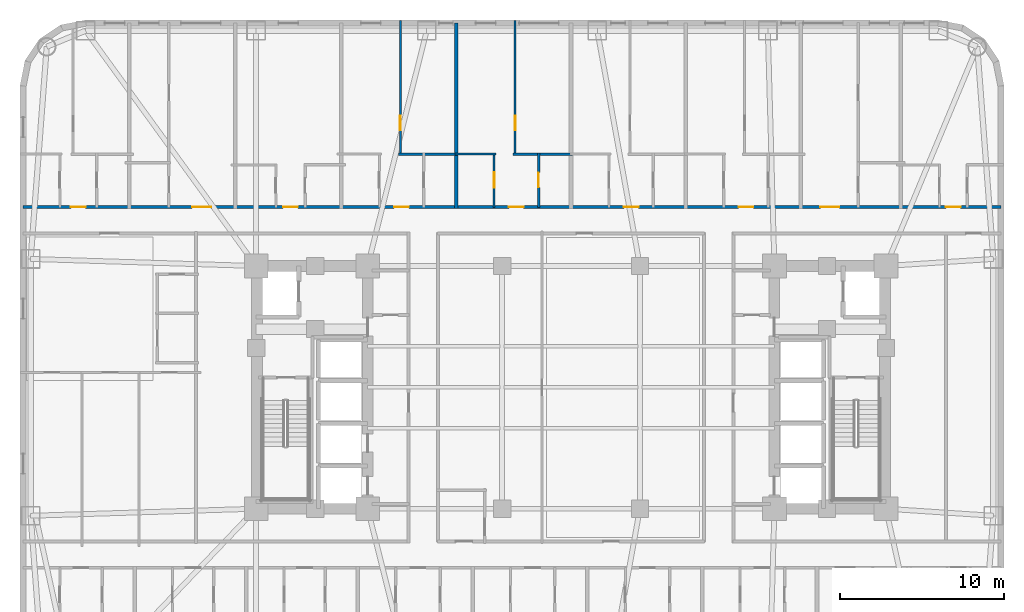
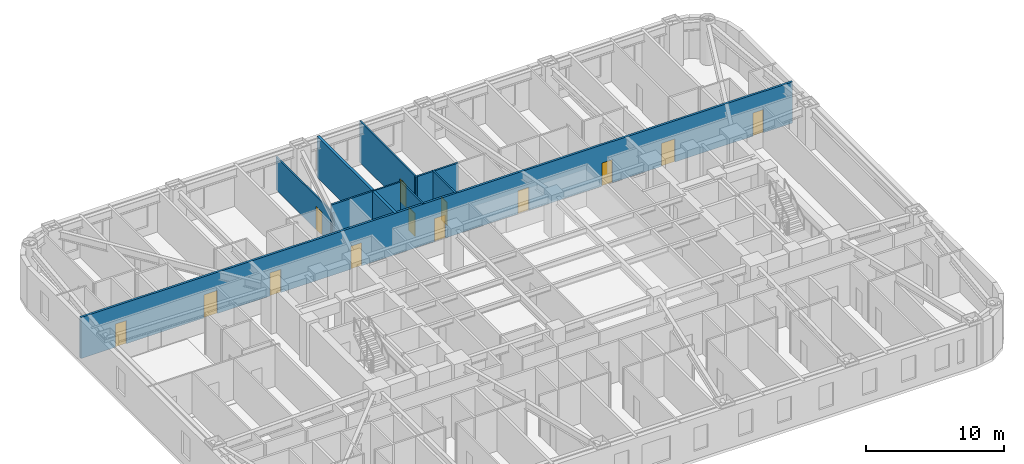
# One storey, part 8 of 12: 13 doors, 9 walls, 13 openings.
"""IFC4 building model written with IfcOpenShell, lengths in metres."""

from ifc_helpers import new_model, si_unit, direction, frame, frame_2d, origin, place, context, subcontext, project, spatial, rectangle, extrude, material, layer, layer_set, type_object, element, fill, save


model = new_model("IFC4")

# Units and contexts
model_context = context("Model", 3, precision=1e-05, world=origin(), true_north=direction((0.0, 1.0)))
body_context = subcontext(model_context, "Body", "Model", "MODEL_VIEW")
ifc_project = project(units=[si_unit("LENGTHUNIT", "METRE"), si_unit("AREAUNIT", "SQUARE_METRE"), si_unit("VOLUMEUNIT", "CUBIC_METRE"), si_unit("PLANEANGLEUNIT", "RADIAN"), si_unit("MASSUNIT", "GRAM", prefix="KILO")], contexts=[model_context])

# Site, building, storey
site_placement = place(None, origin())
site = spatial("IfcSite", under=ifc_project, at=site_placement, CompositionType="ELEMENT")
building_placement = place(site_placement, origin())
building = spatial("IfcBuilding", under=site, at=building_placement, Name="Voryun Gate Residences", CompositionType="ELEMENT")
storey_placement = place(building_placement, frame((0.0, 0.0, 65.0)))
storey = spatial("IfcBuildingStorey", under=building, at=storey_placement, Name="L15", CompositionType="ELEMENT", Elevation=65.0)

# Wall, openings, doors
ifc_material_1 = material(Name="Gypsum acoustic fireboard")
ifc_layer_1 = layer(ifc_material_1, 0.179931640625, Name="W_CORR_RATED_180")
ifc_layer_set_1 = layer_set([ifc_layer_1], Name="Gypsum acoustic fireboard")
wall_type_1 = type_object("IfcWallType", Name="W_CORR_RATED_180", PredefinedType="PARTITIONING", material=ifc_layer_set_1)
wall_1_placement = place(storey_placement, frame((-33.409912109375, 11.0, 0.0), z_axis=(0.0, 0.0, 1.0), x_axis=(1.0, 0.0, 0.0)))
wall_1 = element("IfcWall", 1, at=wall_1_placement, inside=storey, type_object=wall_type_1, Name="Partition wall WP-L15-NCORR", PredefinedType="PARTITIONING", context=body_context, shape_type="SweptSolid", body=[
    extrude(rectangle(XDim=59.619873046875, YDim=0.179931640625, at=frame_2d((29.81005859375, 0.0))), origin(), (0.0, 0.0, 1.0), 3.64990234375),
])
opening_1_placement = place(wall_1_placement, frame((2.91259765625, 0.0, 0.0)))
opening_1 = element("IfcOpeningElement", 2, at=opening_1_placement, cuts=wall_1, Name="Opening D-INT-2", PredefinedType="OPENING", context=body_context, shape_type="SweptSolid", body=[
    extrude(rectangle(XDim=0.89990234375, YDim=2.050048828125, at=frame_2d((0.449951171875, 1.02490234375))), frame((0.0, 0.099853515625, 0.0), z_axis=(0.0, -1.0, 0.0), x_axis=(1.0, 0.0, 0.0)), (0.0, 0.0, 1.0), 0.199951171875),
])
opening_2_placement = place(wall_1_placement, frame((10.3115234375, 0.0, 0.0)))
opening_2 = element("IfcOpeningElement", 3, at=opening_2_placement, cuts=wall_1, Name="Opening D-UNIT-1", PredefinedType="OPENING", context=body_context, shape_type="SweptSolid", body=[
    extrude(rectangle(XDim=1.14990234375, YDim=2.050048828125, at=frame_2d((0.574951171875, 1.02490234375))), frame((0.0, 0.099853515625, 0.0), z_axis=(0.0, -1.0, 0.0), x_axis=(1.0, 0.0, 0.0)), (0.0, 0.0, 1.0), 0.199951171875),
])
opening_3_placement = place(wall_1_placement, frame((15.85009765625, 0.0, 0.0)))
opening_3 = element("IfcOpeningElement", 4, at=opening_3_placement, cuts=wall_1, Name="Opening D-INT-2", PredefinedType="OPENING", context=body_context, shape_type="SweptSolid", body=[
    extrude(rectangle(XDim=0.89990234375, YDim=2.050048828125, at=frame_2d((0.449951171875, 1.02490234375))), frame((0.0, 0.099853515625, 0.0), z_axis=(0.0, -1.0, 0.0), x_axis=(1.0, 0.0, 0.0)), (0.0, 0.0, 1.0), 0.199951171875),
])
opening_4_placement = place(wall_1_placement, frame((22.622802734375, 0.0, 0.0)))
opening_4 = element("IfcOpeningElement", 5, at=opening_4_placement, cuts=wall_1, Name="Opening D-INT-2", PredefinedType="OPENING", context=body_context, shape_type="SweptSolid", body=[
    extrude(rectangle(XDim=0.89990234375, YDim=2.050048828125, at=frame_2d((0.449951171875, 1.02490234375))), frame((0.0, 0.099853515625, 0.0), z_axis=(0.0, -1.0, 0.0), x_axis=(1.0, 0.0, 0.0)), (0.0, 0.0, 1.0), 0.199951171875),
])
opening_5_placement = place(wall_1_placement, frame((29.622314453125, 0.0, 0.0)))
opening_5 = element("IfcOpeningElement", 6, at=opening_5_placement, cuts=wall_1, Name="Opening D-INT-2", PredefinedType="OPENING", context=body_context, shape_type="SweptSolid", body=[
    extrude(rectangle(XDim=0.89990234375, YDim=2.050048828125, at=frame_2d((0.449951171875, 1.02490234375))), frame((0.0, 0.099853515625, 0.0), z_axis=(0.0, -1.0, 0.0), x_axis=(1.0, 0.0, 0.0)), (0.0, 0.0, 1.0), 0.199951171875),
])
opening_6_placement = place(wall_1_placement, frame((36.627685546875, 0.0, 0.0)))
opening_6 = element("IfcOpeningElement", 7, at=opening_6_placement, cuts=wall_1, Name="Opening D-INT-2", PredefinedType="OPENING", context=body_context, shape_type="SweptSolid", body=[
    extrude(rectangle(XDim=0.89990234375, YDim=2.050048828125, at=frame_2d((0.449951171875, 1.02490234375))), frame((0.0, 0.099853515625, 0.0), z_axis=(0.0, -1.0, 0.0), x_axis=(1.0, 0.0, 0.0)), (0.0, 0.0, 1.0), 0.199951171875),
])
opening_7_placement = place(wall_1_placement, frame((43.627197265625, 0.0, 0.0)))
opening_7 = element("IfcOpeningElement", 8, at=opening_7_placement, cuts=wall_1, Name="Opening D-INT-2", PredefinedType="OPENING", context=body_context, shape_type="SweptSolid", body=[
    extrude(rectangle(XDim=0.89990234375, YDim=2.050048828125, at=frame_2d((0.449951171875, 1.02490234375))), frame((0.0, 0.099853515625, 0.0), z_axis=(0.0, -1.0, 0.0), x_axis=(1.0, 0.0, 0.0)), (0.0, 0.0, 1.0), 0.199951171875),
])
opening_8_placement = place(wall_1_placement, frame((48.617431640625, 0.0, 0.0)))
opening_8 = element("IfcOpeningElement", 9, at=opening_8_placement, cuts=wall_1, Name="Opening D-UNIT-1", PredefinedType="OPENING", context=body_context, shape_type="SweptSolid", body=[
    extrude(rectangle(XDim=1.14990234375, YDim=2.050048828125, at=frame_2d((0.574951171875, 1.02490234375))), frame((0.0, 0.099853515625, 0.0), z_axis=(0.0, -1.0, 0.0), x_axis=(1.0, 0.0, 0.0)), (0.0, 0.0, 1.0), 0.199951171875),
])
opening_9_placement = place(wall_1_placement, frame((56.2724609375, 0.0, 0.0)))
opening_9 = element("IfcOpeningElement", 10, at=opening_9_placement, cuts=wall_1, Name="Opening D-INT-2", PredefinedType="OPENING", context=body_context, shape_type="SweptSolid", body=[
    extrude(rectangle(XDim=0.89990234375, YDim=2.050048828125, at=frame_2d((0.449951171875, 1.02490234375))), frame((0.0, 0.099853515625, 0.0), z_axis=(0.0, -1.0, 0.0), x_axis=(1.0, 0.0, 0.0)), (0.0, 0.0, 1.0), 0.199951171875),
])
ifc_material_2 = material(Name="Architectural oak veneer")
door_type_1 = type_object("IfcDoorType", Name="DR_INT_BATH_900", OperationType="NOTDEFINED", PredefinedType="DOOR", material=ifc_material_2)
door_1_placement = place(opening_1_placement, origin())
door_1 = element("IfcDoor", 11, at=door_1_placement, inside=storey, type_object=door_type_1, Name="Door DR-L15-NENT-1", OperationType="SINGLE_SWING_LEFT", OverallHeight=2.050048828125, OverallWidth=0.89990234375, PredefinedType="DOOR", context=body_context, shape_type="SweptSolid", body=[
    extrude(rectangle(XDim=0.89990234375, YDim=2.050048828125, at=frame_2d((0.449951171875, 1.02490234375))), frame((0.0, 0.02490234375, 0.0), z_axis=(0.0, -1.0, 0.0), x_axis=(1.0, 0.0, 0.0)), (0.0, 0.0, 1.0), 0.050048828125),
])
fill(opening_1, door_1)
door_2_placement = place(opening_3_placement, origin())
door_2 = element("IfcDoor", 12, at=door_2_placement, inside=storey, type_object=door_type_1, Name="Door DR-L15-NENT-3", OperationType="SINGLE_SWING_LEFT", OverallHeight=2.050048828125, OverallWidth=0.89990234375, PredefinedType="DOOR", context=body_context, shape_type="SweptSolid", body=[
    extrude(rectangle(XDim=0.89990234375, YDim=2.050048828125, at=frame_2d((0.449951171875, 1.02490234375))), frame((0.0, 0.02490234375, 0.0), z_axis=(0.0, -1.0, 0.0), x_axis=(1.0, 0.0, 0.0)), (0.0, 0.0, 1.0), 0.050048828125),
])
fill(opening_3, door_2)
door_3_placement = place(opening_4_placement, origin())
door_3 = element("IfcDoor", 13, at=door_3_placement, inside=storey, type_object=door_type_1, Name="Door DR-L15-NENT-4", OperationType="SINGLE_SWING_RIGHT", OverallHeight=2.050048828125, OverallWidth=0.89990234375, PredefinedType="DOOR", context=body_context, shape_type="SweptSolid", body=[
    extrude(rectangle(XDim=0.89990234375, YDim=2.050048828125, at=frame_2d((0.449951171875, 1.02490234375))), frame((0.0, 0.02490234375, 0.0), z_axis=(0.0, -1.0, 0.0), x_axis=(1.0, 0.0, 0.0)), (0.0, 0.0, 1.0), 0.050048828125),
])
fill(opening_4, door_3)
door_4_placement = place(opening_5_placement, origin())
door_4 = element("IfcDoor", 14, at=door_4_placement, inside=storey, type_object=door_type_1, Name="Door DR-L15-NENT-5", OperationType="SINGLE_SWING_LEFT", OverallHeight=2.050048828125, OverallWidth=0.89990234375, PredefinedType="DOOR", context=body_context, shape_type="SweptSolid", body=[
    extrude(rectangle(XDim=0.89990234375, YDim=2.050048828125, at=frame_2d((0.449951171875, 1.02490234375))), frame((0.0, 0.02490234375, 0.0), z_axis=(0.0, -1.0, 0.0), x_axis=(1.0, 0.0, 0.0)), (0.0, 0.0, 1.0), 0.050048828125),
])
fill(opening_5, door_4)
door_5_placement = place(opening_6_placement, origin())
door_5 = element("IfcDoor", 15, at=door_5_placement, inside=storey, type_object=door_type_1, Name="Door DR-L15-NENT-6", OperationType="SINGLE_SWING_RIGHT", OverallHeight=2.050048828125, OverallWidth=0.89990234375, PredefinedType="DOOR", context=body_context, shape_type="SweptSolid", body=[
    extrude(rectangle(XDim=0.89990234375, YDim=2.050048828125, at=frame_2d((0.449951171875, 1.02490234375))), frame((0.0, 0.02490234375, 0.0), z_axis=(0.0, -1.0, 0.0), x_axis=(1.0, 0.0, 0.0)), (0.0, 0.0, 1.0), 0.050048828125),
])
fill(opening_6, door_5)
door_6_placement = place(opening_7_placement, origin())
door_6 = element("IfcDoor", 16, at=door_6_placement, inside=storey, type_object=door_type_1, Name="Door DR-L15-NENT-7", OperationType="SINGLE_SWING_LEFT", OverallHeight=2.050048828125, OverallWidth=0.89990234375, PredefinedType="DOOR", context=body_context, shape_type="SweptSolid", body=[
    extrude(rectangle(XDim=0.89990234375, YDim=2.050048828125, at=frame_2d((0.449951171875, 1.02490234375))), frame((0.0, 0.02490234375, 0.0), z_axis=(0.0, -1.0, 0.0), x_axis=(1.0, 0.0, 0.0)), (0.0, 0.0, 1.0), 0.050048828125),
])
fill(opening_7, door_6)
door_7_placement = place(opening_9_placement, origin())
door_7 = element("IfcDoor", 17, at=door_7_placement, inside=storey, type_object=door_type_1, Name="Door DR-L15-NENT-9", OperationType="SINGLE_SWING_LEFT", OverallHeight=2.050048828125, OverallWidth=0.89990234375, PredefinedType="DOOR", context=body_context, shape_type="SweptSolid", body=[
    extrude(rectangle(XDim=0.89990234375, YDim=2.050048828125, at=frame_2d((0.449951171875, 1.02490234375))), frame((0.0, 0.02490234375, 0.0), z_axis=(0.0, -1.0, 0.0), x_axis=(1.0, 0.0, 0.0)), (0.0, 0.0, 1.0), 0.050048828125),
])
fill(opening_9, door_7)
ifc_material_3 = material(Name="Armoured timber-clad fire door", Category="wood")
door_type_2 = type_object("IfcDoorType", Name="DR_UNIT_ENTRY_1150", OperationType="NOTDEFINED", PredefinedType="DOOR", material=ifc_material_3)
door_8_placement = place(opening_2_placement, origin())
door_8 = element("IfcDoor", 18, at=door_8_placement, inside=storey, type_object=door_type_2, Name="Door DR-L15-NENT-2", OperationType="SINGLE_SWING_RIGHT", OverallHeight=2.050048828125, OverallWidth=1.14990234375, PredefinedType="DOOR", context=body_context, shape_type="SweptSolid", body=[
    extrude(rectangle(XDim=1.14990234375, YDim=2.050048828125, at=frame_2d((0.574951171875, 1.02490234375))), frame((0.0, 0.02490234375, 0.0), z_axis=(0.0, -1.0, 0.0), x_axis=(1.0, 0.0, 0.0)), (0.0, 0.0, 1.0), 0.050048828125),
])
fill(opening_2, door_8)
door_9_placement = place(opening_8_placement, origin())
door_9 = element("IfcDoor", 19, at=door_9_placement, inside=storey, type_object=door_type_2, Name="Door DR-L15-NENT-8", OperationType="SINGLE_SWING_RIGHT", OverallHeight=2.050048828125, OverallWidth=1.14990234375, PredefinedType="DOOR", context=body_context, shape_type="SweptSolid", body=[
    extrude(rectangle(XDim=1.14990234375, YDim=2.050048828125, at=frame_2d((0.574951171875, 1.02490234375))), frame((0.0, 0.02490234375, 0.0), z_axis=(0.0, -1.0, 0.0), x_axis=(1.0, 0.0, 0.0)), (0.0, 0.0, 1.0), 0.050048828125),
])
fill(opening_8, door_9)

# Wall
ifc_material_4 = material(Name="Concrete C40/50", Category="concrete")
ifc_layer_2 = layer(ifc_material_4, 0.219970703125, Name="W_PARTY_ACOUSTIC_220")
ifc_layer_set_2 = layer_set([ifc_layer_2], Name="Concrete C40/50")
wall_type_2 = type_object("IfcWallType", Name="W_PARTY_ACOUSTIC_220", PredefinedType="PARTITIONING", material=ifc_layer_set_2)
wall_2_placement = place(storey_placement, frame((-7.0, 10.919921875, 0.0), z_axis=(0.0, 0.0, 1.0), x_axis=(0.0, 1.0, 0.0)))
element("IfcWall", 20, at=wall_2_placement, inside=storey, type_object=wall_type_2, Name="Partition wall WP-L15-NPTY-4", PredefinedType="PARTITIONING", context=body_context, shape_type="SweptSolid", body=[
    extrude(rectangle(XDim=11.2900390625, YDim=0.219970703125, at=frame_2d((5.64501953125, 0.0))), origin(), (0.0, 0.0, 1.0), 3.64990234375),
])

# Wall, opening, door
ifc_material_5 = material(Name="Gypsum acoustic partition")
ifc_layer_3 = layer(ifc_material_5, 0.125, Name="W_UNIT_PART_125")
ifc_layer_set_3 = layer_set([ifc_layer_3], Name="Gypsum acoustic partition")
wall_type_3 = type_object("IfcWallType", Name="W_UNIT_PART_125", PredefinedType="PARTITIONING", material=ifc_layer_set_3)
wall_3_placement = place(storey_placement, frame((-10.409912109375, 14.139892578125, 0.0), z_axis=(0.0, 0.0, 1.0), x_axis=(0.0, 1.0, 0.0)))
wall_3 = element("IfcWall", 21, at=wall_3_placement, inside=storey, type_object=wall_type_3, Name="Partition wall WP-L15-N4-OVR", PredefinedType="PARTITIONING", context=body_context, shape_type="SweptSolid", body=[
    extrude(rectangle(XDim=8.22021484375, YDim=0.125, at=frame_2d((4.110107421875, 0.0))), origin(), (0.0, 0.0, 1.0), 2.93994140625),
])
opening_10_placement = place(wall_3_placement, frame((1.522705078125, 0.0, 0.0)))
opening_10 = element("IfcOpeningElement", 22, at=opening_10_placement, cuts=wall_3, Name="Opening D-INT-2", PredefinedType="OPENING", context=body_context, shape_type="SweptSolid", body=[
    extrude(rectangle(XDim=0.89990234375, YDim=2.050048828125, at=frame_2d((0.449951171875, 1.02490234375))), frame((0.0, 0.072509765625, 0.0), z_axis=(0.0, -1.0, 0.0), x_axis=(1.0, 0.0, 0.0)), (0.0, 0.0, 1.0), 0.14501953125),
])
door_10_placement = place(opening_10_placement, origin())
door_10 = element("IfcDoor", 23, at=door_10_placement, inside=storey, type_object=door_type_1, Name="Door DR-L15-N4-DMB", OperationType="SINGLE_SWING_RIGHT", OverallHeight=2.050048828125, OverallWidth=0.89990234375, PredefinedType="DOOR", context=body_context, shape_type="SweptSolid", body=[
    extrude(rectangle(XDim=0.89990234375, YDim=2.050048828125, at=frame_2d((0.449951171875, 1.02490234375))), frame((0.0, 0.02490234375, 0.0), z_axis=(0.0, -1.0, 0.0), x_axis=(1.0, 0.0, 0.0)), (0.0, 0.0, 1.0), 0.050048828125),
])
fill(opening_10, door_10)

wall_4_placement = place(storey_placement, frame((-3.409912109375, 14.139892578125, 0.0), z_axis=(0.0, 0.0, 1.0), x_axis=(0.0, 1.0, 0.0)))
wall_4 = element("IfcWall", 24, at=wall_4_placement, inside=storey, type_object=wall_type_3, Name="Partition wall WP-L15-N5-OVR", PredefinedType="PARTITIONING", context=body_context, shape_type="SweptSolid", body=[
    extrude(rectangle(XDim=8.22021484375, YDim=0.125, at=frame_2d((4.110107421875, 0.0))), origin(), (0.0, 0.0, 1.0), 3.64990234375),
])
opening_11_placement = place(wall_4_placement, frame((1.522705078125, 0.0, 0.0)))
opening_11 = element("IfcOpeningElement", 25, at=opening_11_placement, cuts=wall_4, Name="Opening D-INT-2", PredefinedType="OPENING", context=body_context, shape_type="SweptSolid", body=[
    extrude(rectangle(XDim=0.89990234375, YDim=2.050048828125, at=frame_2d((0.449951171875, 1.02490234375))), frame((0.0, 0.072509765625, 0.0), z_axis=(0.0, -1.0, 0.0), x_axis=(1.0, 0.0, 0.0)), (0.0, 0.0, 1.0), 0.14501953125),
])
door_11_placement = place(opening_11_placement, origin())
door_11 = element("IfcDoor", 26, at=door_11_placement, inside=storey, type_object=door_type_1, Name="Door DR-L15-N5-DMB", OperationType="SINGLE_SWING_RIGHT", OverallHeight=2.050048828125, OverallWidth=0.89990234375, PredefinedType="DOOR", context=body_context, shape_type="SweptSolid", body=[
    extrude(rectangle(XDim=0.89990234375, YDim=2.050048828125, at=frame_2d((0.449951171875, 1.02490234375))), frame((0.0, 0.02490234375, 0.0), z_axis=(0.0, -1.0, 0.0), x_axis=(1.0, 0.0, 0.0)), (0.0, 0.0, 1.0), 0.050048828125),
])
fill(opening_11, door_11)

wall_5_placement = place(storey_placement, frame((-4.68994140625, 10.97998046875, 0.0), z_axis=(0.0, 0.0, 1.0), x_axis=(0.0, 1.0, 0.0)))
wall_5 = element("IfcWall", 27, at=wall_5_placement, inside=storey, type_object=wall_type_3, Name="Partition wall WP-L15-N5-IVK", PredefinedType="PARTITIONING", context=body_context, shape_type="SweptSolid", body=[
    extrude(rectangle(XDim=3.320068359375, YDim=0.125, at=frame_2d((1.66015625, 0.0))), origin(), (0.0, 0.0, 1.0), 3.64990234375),
])
opening_12_placement = place(wall_5_placement, frame((1.18505859375, 0.0, 0.0)))
opening_12 = element("IfcOpeningElement", 28, at=opening_12_placement, cuts=wall_5, Name="Opening D-INT-1", PredefinedType="OPENING", context=body_context, shape_type="SweptSolid", body=[
    extrude(rectangle(XDim=0.949951171875, YDim=2.050048828125, at=frame_2d((0.47509765625, 1.02490234375))), frame((0.0, 0.072509765625, 0.0), z_axis=(0.0, -1.0, 0.0), x_axis=(1.0, 0.0, 0.0)), (0.0, 0.0, 1.0), 0.14501953125),
])
ifc_material_6 = material(Name="Architectural oak veneer")
door_type_3 = type_object("IfcDoorType", Name="DR_INT_ROOM_950", OperationType="NOTDEFINED", PredefinedType="DOOR", material=ifc_material_6)
door_12_placement = place(opening_12_placement, origin())
door_12 = element("IfcDoor", 29, at=door_12_placement, inside=storey, type_object=door_type_3, Name="Door DR-L15-N5-DK", OperationType="SINGLE_SWING_LEFT", OverallHeight=2.050048828125, OverallWidth=0.949951171875, PredefinedType="DOOR", context=body_context, shape_type="SweptSolid", body=[
    extrude(rectangle(XDim=0.949951171875, YDim=2.050048828125, at=frame_2d((0.47509765625, 1.02490234375))), frame((0.0, 0.02490234375, 0.0), z_axis=(0.0, -1.0, 0.0), x_axis=(1.0, 0.0, 0.0)), (0.0, 0.0, 1.0), 0.050048828125),
])
fill(opening_12, door_12)

# Walls
wall_6_placement = place(storey_placement, frame((-7.074951171875, 14.219970703125, 0.0), z_axis=(0.0, 0.0, 1.0), x_axis=(1.0, 0.0, 0.0)))
element("IfcWall", 30, at=wall_6_placement, inside=storey, type_object=wall_type_3, Name="Partition wall WP-L15-N5-HZK", PredefinedType="PARTITIONING", context=body_context, shape_type="SweptSolid", body=[
    extrude(rectangle(XDim=2.5048828125, YDim=0.125, at=frame_2d((1.25244140625, 0.0))), origin(), (0.0, 0.0, 1.0), 3.64990234375),
])
ifc_material_7 = material(Name="Gypsum moisture-resistant partition")
ifc_layer_4 = layer(ifc_material_7, 0.14990234375, Name="W_WET_PLUMB_150")
ifc_layer_set_4 = layer_set([ifc_layer_4], Name="Gypsum moisture-resistant partition")
wall_type_4 = type_object("IfcWallType", Name="W_WET_PLUMB_150", PredefinedType="PLUMBINGWALL", material=ifc_layer_set_4)
for number, where, z_axis, x_axis, name in (
    (31, (-10.530029296875, 14.219970703125, 0.0), (0.0, 0.0, 1.0), (1.0, 0.0, 0.0), "Partition wall WP-L15-N4-HZB"),
    (32, (-3.530029296875, 14.219970703125, 0.0), (0.0, 0.0, 1.0), (1.0, 0.0, 0.0), "Partition wall WP-L15-N5-HZB"),
):
    element("IfcWall", number, at=place(storey_placement, frame(where, z_axis=z_axis, x_axis=x_axis)), inside=storey, type_object=wall_type_4, Name=name, PredefinedType="PLUMBINGWALL", context=body_context, shape_type="SweptSolid", body=[
        extrude(rectangle(XDim=3.60498046875, YDim=0.14990234375, at=frame_2d((1.802490234375, 0.0))), origin(), (0.0, 0.0, 1.0), 3.64990234375),
    ])

# Wall, opening, door
wall_7_placement = place(storey_placement, frame((-1.97998046875, 10.97998046875, 0.0), z_axis=(0.0, 0.0, 1.0), x_axis=(0.0, 1.0, 0.0)))
wall_7 = element("IfcWall", 33, at=wall_7_placement, inside=storey, type_object=wall_type_4, Name="Partition wall WP-L15-N5-IVB", PredefinedType="PLUMBINGWALL", context=body_context, shape_type="SweptSolid", body=[
    extrude(rectangle(XDim=3.320068359375, YDim=0.14990234375, at=frame_2d((1.66015625, 0.0))), origin(), (0.0, 0.0, 1.0), 3.64990234375),
])
opening_13_placement = place(wall_7_placement, frame((1.2099609375, 0.0, 0.0)))
opening_13 = element("IfcOpeningElement", 34, at=opening_13_placement, cuts=wall_7, Name="Opening D-INT-2", PredefinedType="OPENING", context=body_context, shape_type="SweptSolid", body=[
    extrude(rectangle(XDim=0.89990234375, YDim=2.050048828125, at=frame_2d((0.449951171875, 1.02490234375))), frame((0.0, 0.0849609375, 0.0), z_axis=(0.0, -1.0, 0.0), x_axis=(1.0, 0.0, 0.0)), (0.0, 0.0, 1.0), 0.169921875),
])
door_13_placement = place(opening_13_placement, origin())
door_13 = element("IfcDoor", 35, at=door_13_placement, inside=storey, type_object=door_type_1, Name="Door DR-L15-N5-DB", OperationType="SINGLE_SWING_RIGHT", OverallHeight=2.050048828125, OverallWidth=0.89990234375, PredefinedType="DOOR", context=body_context, shape_type="SweptSolid", body=[
    extrude(rectangle(XDim=0.89990234375, YDim=2.050048828125, at=frame_2d((0.449951171875, 1.02490234375))), frame((0.0, 0.02490234375, 0.0), z_axis=(0.0, -1.0, 0.0), x_axis=(1.0, 0.0, 0.0)), (0.0, 0.0, 1.0), 0.050048828125),
])
fill(opening_13, door_13)

save(model, "model.ifc")
